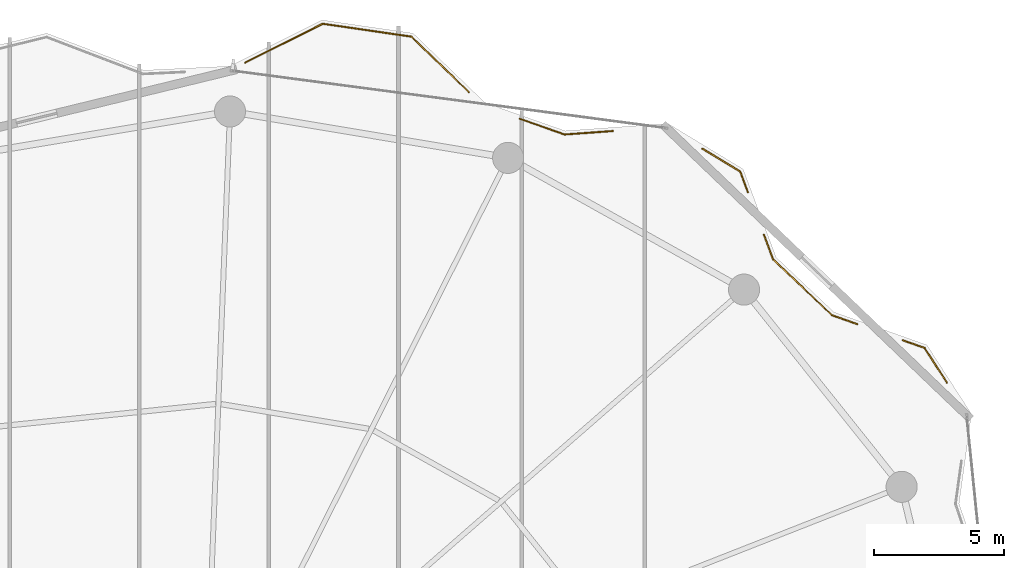
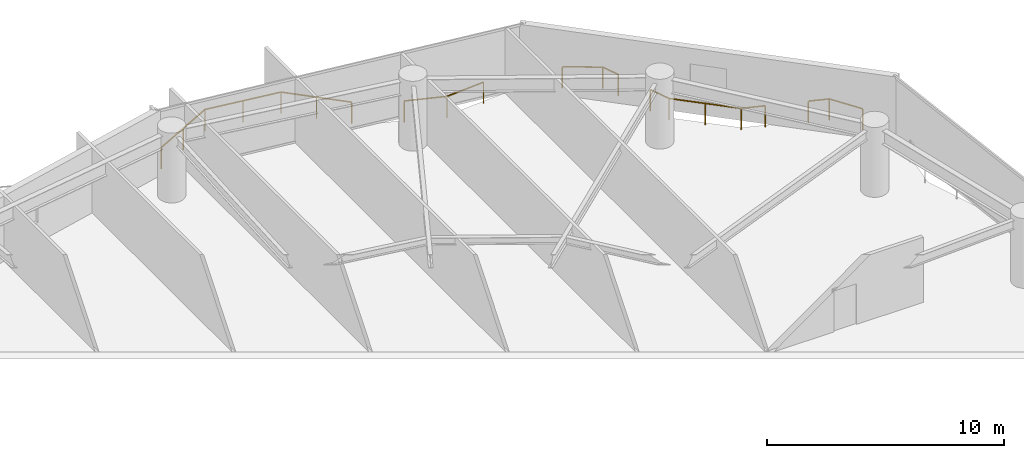
# One storey, part 30 of 30: 5 railings.
"""IFC4 building model written with IfcOpenShell, lengths in metres."""

from ifc_helpers import new_model, si_unit, direction, frame, origin, origin_2d, place, context, subcontext, project, spatial, rectangle, extrude, material, type_object, element, save


model = new_model("IFC4")

# Units and contexts
model_context = context("Model", 3, precision=1e-05, world=origin(), true_north=direction((0.0, 1.0)))
body_context = subcontext(model_context, "Body", "Model", "MODEL_VIEW")
ifc_project = project(units=[si_unit("LENGTHUNIT", "METRE"), si_unit("AREAUNIT", "SQUARE_METRE"), si_unit("VOLUMEUNIT", "CUBIC_METRE"), si_unit("PLANEANGLEUNIT", "RADIAN"), si_unit("MASSUNIT", "GRAM", prefix="KILO")], contexts=[model_context])

# Site, building, storey
site_placement = place(None, origin())
site = spatial("IfcSite", under=ifc_project, at=site_placement, CompositionType="ELEMENT")
building_placement = place(site_placement, origin())
building = spatial("IfcBuilding", under=site, at=building_placement, Name="Kazevale Care Tower and Concert Hall", CompositionType="ELEMENT")
storey_placement = place(building_placement, frame((0.0, 0.0, 127.800048828125)))
storey = spatial("IfcBuildingStorey", under=building, at=storey_placement, Name="L33", CompositionType="ELEMENT", Elevation=127.800048828125)

# Railings
ifc_material = material(Name="Anodised Bronze Aluminium and Laminated Glass", Category="aluminium")
railing_type = type_object("IfcRailingType", Name="Balcony and Terrace Balustrade 1120", PredefinedType="BALUSTRADE", material=ifc_material)
railing_1_placement = place(storey_placement, frame((45.58203125, 63.3349609375, 0.0)))
element("IfcRailing", 1, at=railing_1_placement, inside=storey, type_object=railing_type, Name="rail:L33:perim:6", PredefinedType="BALUSTRADE", context=body_context, shape_type="SweptSolid", body=[
    extrude(rectangle(XDim=0.048095703125, YDim=0.048095703125, at=origin_2d()), frame((0.0, 0.0, 1.09619140625), z_axis=(0.894295970648, 0.447475940003, 0.0), x_axis=(-0.447475940003, 0.894295970648, 0.0)), (0.0, 0.0, 1.0), 3.349853515625),
    extrude(rectangle(XDim=0.048095703125, YDim=0.048095703125, at=origin_2d()), frame((2.995849609375, 1.4990234375, 1.09619140625), z_axis=(0.989614943685, -0.143743741553, 0.0), x_axis=(0.143743741553, 0.989614943685, 0.0)), (0.0, 0.0, 1.0), 3.4580078125),
    extrude(rectangle(XDim=0.048095703125, YDim=0.048095703125, at=origin_2d()), frame((6.41796875, 1.001953125, 1.09619140625), z_axis=(0.719198097767, -0.694805077823, 0.0), x_axis=(0.694805077823, 0.719198097767, 0.0)), (0.0, 0.0, 1.0), 3.082763671875),
    extrude(rectangle(XDim=0.0419921875, YDim=0.0419921875, at=origin_2d()), origin(), (0.0, 0.0, 1.0), 1.072021484375),
    extrude(rectangle(XDim=0.0419921875, YDim=0.0419921875, at=origin_2d()), frame((1.498046875, 0.74951171875, 0.0)), (0.0, 0.0, 1.0), 1.072021484375),
    extrude(rectangle(XDim=0.0419921875, YDim=0.0419921875, at=origin_2d()), frame((2.995849609375, 1.4990234375, 0.0)), (0.0, 0.0, 1.0), 1.072021484375),
    extrude(rectangle(XDim=0.0419921875, YDim=0.0419921875, at=origin_2d()), frame((4.70703125, 1.25048828125, 0.0)), (0.0, 0.0, 1.0), 1.072021484375),
    extrude(rectangle(XDim=0.0419921875, YDim=0.0419921875, at=origin_2d()), frame((6.41796875, 1.001953125, 0.0)), (0.0, 0.0, 1.0), 1.072021484375),
    extrude(rectangle(XDim=0.0419921875, YDim=0.0419921875, at=origin_2d()), frame((7.5263671875, -0.06884765625, 0.0)), (0.0, 0.0, 1.0), 1.072021484375),
    extrude(rectangle(XDim=0.0419921875, YDim=0.0419921875, at=origin_2d()), frame((8.635009765625, -1.139892578125, 0.0)), (0.0, 0.0, 1.0), 1.072021484375),
])
railing_2_placement = place(storey_placement, frame((56.177001953125, 61.169921875, 0.0)))
element("IfcRailing", 2, at=railing_2_placement, inside=storey, type_object=railing_type, Name="rail:L33:perim:7", PredefinedType="BALUSTRADE", context=body_context, shape_type="SweptSolid", body=[
    extrude(rectangle(XDim=0.048095703125, YDim=0.048095703125, at=origin_2d()), frame((0.0, 0.0, 1.09619140625), z_axis=(0.943845924202, -0.330385943054, 0.0), x_axis=(0.330385943054, 0.943845924202, 0.0)), (0.0, 0.0, 1.0), 1.837158203125),
    extrude(rectangle(XDim=0.048095703125, YDim=0.048095703125, at=origin_2d()), frame((1.73388671875, -0.60693359375, 1.09619140625), z_axis=(0.997446044484, 0.071424003974, 0.0), x_axis=(-0.071424003974, 0.997446044484, 0.0)), (0.0, 0.0, 1.0), 1.86279296875),
    extrude(rectangle(XDim=0.0419921875, YDim=0.0419921875, at=origin_2d()), origin(), (0.0, 0.0, 1.0), 1.072021484375),
    extrude(rectangle(XDim=0.0419921875, YDim=0.0419921875, at=origin_2d()), frame((1.73388671875, -0.60693359375, 0.0)), (0.0, 0.0, 1.0), 1.072021484375),
    extrude(rectangle(XDim=0.0419921875, YDim=0.0419921875, at=origin_2d()), frame((3.592041015625, -0.473876953125, 0.0)), (0.0, 0.0, 1.0), 1.072021484375),
])
railing_3_placement = place(storey_placement, frame((63.218017578125, 60.02001953125, 0.0)))
element("IfcRailing", 3, at=railing_3_placement, inside=storey, type_object=railing_type, Name="rail:L33:perim:8", PredefinedType="BALUSTRADE", context=body_context, shape_type="SweptSolid", body=[
    extrude(rectangle(XDim=0.048095703125, YDim=0.048095703125, at=origin_2d()), frame((0.0, 0.0, 1.09619140625), z_axis=(0.855004324382, -0.518620868542, 0.0), x_axis=(0.518620868542, 0.855004324382, 0.0)), (0.0, 0.0, 1.0), 1.712158203125),
    extrude(rectangle(XDim=0.048095703125, YDim=0.048095703125, at=origin_2d()), frame((1.4638671875, -0.887939453125, 1.09619140625), z_axis=(0.350274461478, -0.936647106245, 0.0), x_axis=(0.936647106245, 0.350274461478, 0.0)), (0.0, 0.0, 1.0), 0.85107421875),
    extrude(rectangle(XDim=0.0419921875, YDim=0.0419921875, at=origin_2d()), origin(), (0.0, 0.0, 1.0), 1.072021484375),
    extrude(rectangle(XDim=0.0419921875, YDim=0.0419921875, at=origin_2d()), frame((1.4638671875, -0.887939453125, 0.0)), (0.0, 0.0, 1.0), 1.072021484375),
    extrude(rectangle(XDim=0.0419921875, YDim=0.0419921875, at=origin_2d()), frame((1.761962890625, -1.68505859375, 0.0)), (0.0, 0.0, 1.0), 1.072021484375),
])
railing_4_placement = place(storey_placement, frame((65.593994140625, 56.696044921875, 0.0)))
element("IfcRailing", 4, at=railing_4_placement, inside=storey, type_object=railing_type, Name="rail:L33:perim:9", PredefinedType="BALUSTRADE", context=body_context, shape_type="SweptSolid", body=[
    extrude(rectangle(XDim=0.048095703125, YDim=0.048095703125, at=origin_2d()), frame((0.0, 0.0, 1.09619140625), z_axis=(0.35059921424, -0.936525595472, 0.0), x_axis=(0.936525595472, 0.35059921424, 0.0)), (0.0, 0.0, 1.0), 1.020751953125),
    extrude(rectangle(XDim=0.048095703125, YDim=0.048095703125, at=origin_2d()), frame((0.35791015625, -0.9560546875, 1.09619140625), z_axis=(0.726387325624, -0.687285568867, 0.0), x_axis=(0.687285568867, 0.726387325624, 0.0)), (0.0, 0.0, 1.0), 3.128173828125),
    extrude(rectangle(XDim=0.048095703125, YDim=0.048095703125, at=origin_2d()), frame((2.630126953125, -3.10595703125, 1.09619140625), z_axis=(0.942764361148, -0.333459681743, 0.0), x_axis=(0.333459681743, 0.942764361148, 0.0)), (0.0, 0.0, 1.0), 1.0380859375),
    extrude(rectangle(XDim=0.0419921875, YDim=0.0419921875, at=origin_2d()), origin(), (0.0, 0.0, 1.0), 1.072021484375),
    extrude(rectangle(XDim=0.0419921875, YDim=0.0419921875, at=origin_2d()), frame((0.35791015625, -0.9560546875, 0.0)), (0.0, 0.0, 1.0), 1.072021484375),
    extrude(rectangle(XDim=0.0419921875, YDim=0.0419921875, at=origin_2d()), frame((1.494140625, -2.031005859375, 0.0)), (0.0, 0.0, 1.0), 1.072021484375),
    extrude(rectangle(XDim=0.0419921875, YDim=0.0419921875, at=origin_2d()), frame((2.630126953125, -3.10595703125, 0.0)), (0.0, 0.0, 1.0), 1.072021484375),
    extrude(rectangle(XDim=0.0419921875, YDim=0.0419921875, at=origin_2d()), frame((3.60888671875, -3.4521484375, 0.0)), (0.0, 0.0, 1.0), 1.072021484375),
])
railing_5_placement = place(storey_placement, frame((70.947021484375, 52.626953125, 0.0)))
element("IfcRailing", 5, at=railing_5_placement, inside=storey, type_object=railing_type, Name="rail:L33:perim:11", PredefinedType="BALUSTRADE", context=body_context, shape_type="SweptSolid", body=[
    extrude(rectangle(XDim=0.048095703125, YDim=0.048095703125, at=origin_2d()), frame((0.0, 0.0, 1.09619140625), z_axis=(0.94312106056, -0.332449492598, 0.0), x_axis=(0.332449492598, 0.94312106056, 0.0)), (0.0, 0.0, 1.0), 0.89599609375),
    extrude(rectangle(XDim=0.048095703125, YDim=0.048095703125, at=origin_2d()), frame((0.844970703125, -0.2978515625, 1.09619140625), z_axis=(0.542760428635, -0.839887562182, 0.0), x_axis=(0.839887562182, 0.542760428635, 0.0)), (0.0, 0.0, 1.0), 1.58837890625),
    extrude(rectangle(XDim=0.0419921875, YDim=0.0419921875, at=origin_2d()), origin(), (0.0, 0.0, 1.0), 1.072021484375),
    extrude(rectangle(XDim=0.0419921875, YDim=0.0419921875, at=origin_2d()), frame((0.844970703125, -0.2978515625, 0.0)), (0.0, 0.0, 1.0), 1.072021484375),
    extrude(rectangle(XDim=0.0419921875, YDim=0.0419921875, at=origin_2d()), frame((1.70703125, -1.6318359375, 0.0)), (0.0, 0.0, 1.0), 1.072021484375),
])

save(model, "model.ifc")
